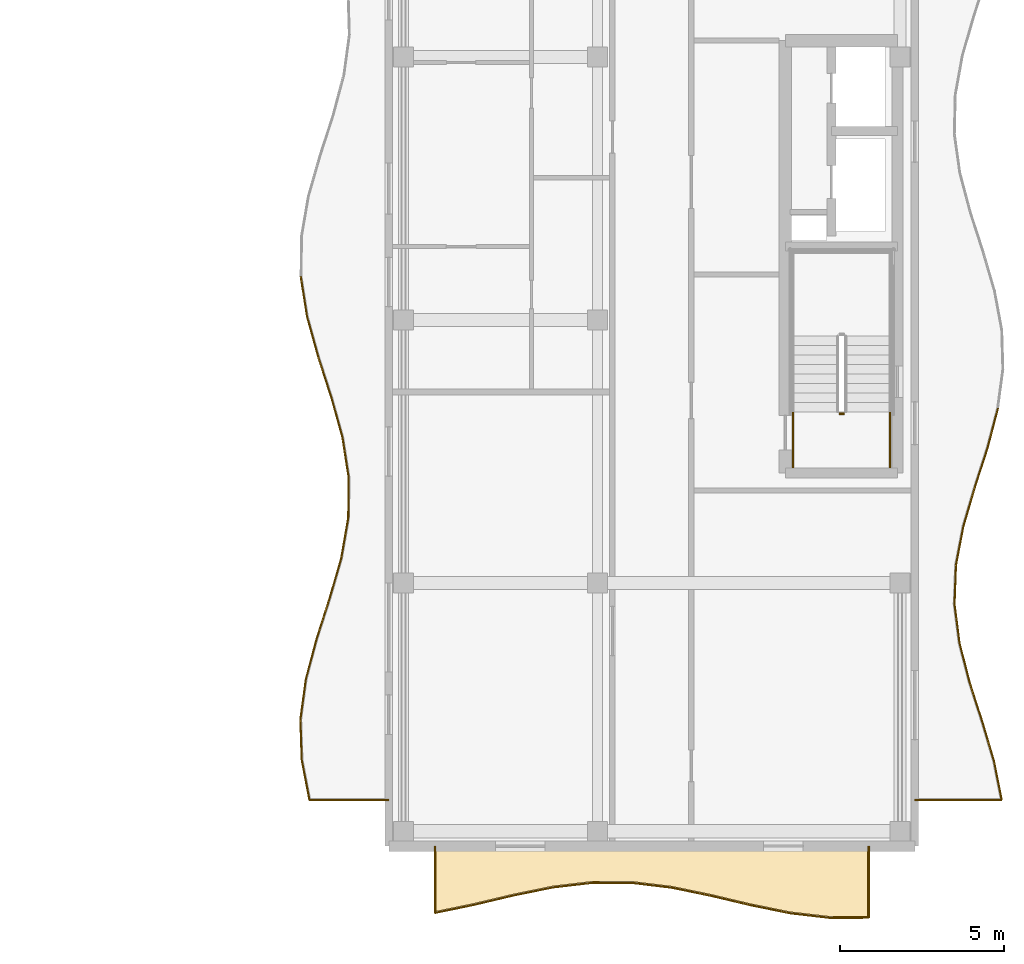
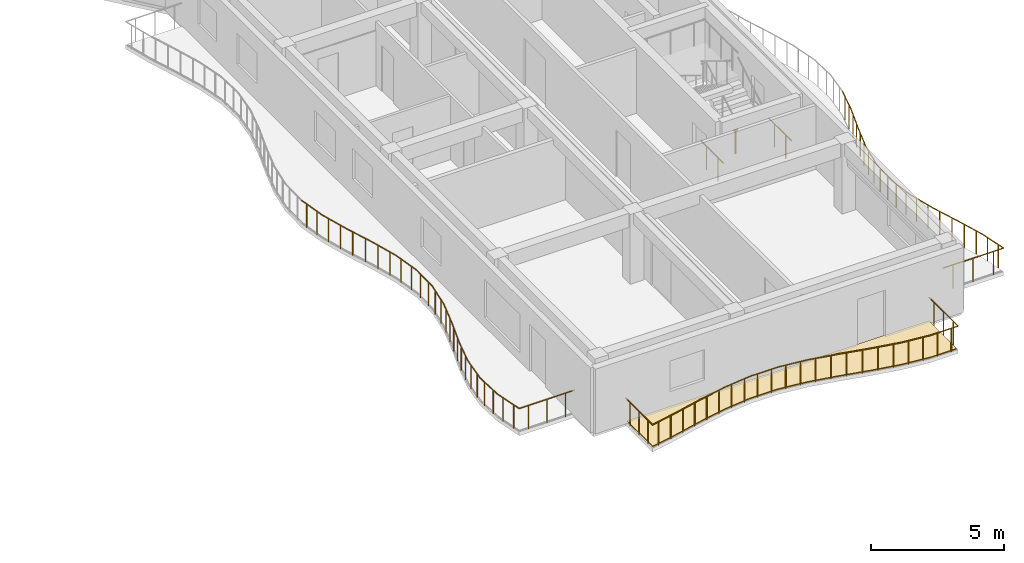
# One storey, part 65 of 71: 41 railings, 1 covering.
"""IFC4 building model written with IfcOpenShell, lengths in metres."""

from ifc_helpers import new_model, si_unit, direction, frame, origin, origin_2d, place, context, subcontext, project, spatial, polyline, circle, outline, extrude, material, layer, layer_set, type_object, element, save


model = new_model("IFC4")

# Units and contexts
model_context = context("Model", 3, precision=1e-05, world=origin(), true_north=direction((0.0, 1.0)))
body_context = subcontext(model_context, "Body", "Model", "MODEL_VIEW")
ifc_project = project(units=[si_unit("LENGTHUNIT", "METRE"), si_unit("AREAUNIT", "SQUARE_METRE"), si_unit("VOLUMEUNIT", "CUBIC_METRE"), si_unit("PLANEANGLEUNIT", "RADIAN"), si_unit("MASSUNIT", "GRAM", prefix="KILO")], contexts=[model_context])

# Site, building, storey
site_placement = place(None, origin())
site = spatial("IfcSite", under=ifc_project, at=site_placement, CompositionType="ELEMENT")
building_placement = place(site_placement, origin())
building = spatial("IfcBuilding", under=site, at=building_placement, Name="Keldmere Railside Commons", CompositionType="ELEMENT")
storey_placement = place(building_placement, frame((0.0, 0.0, 20.159912109375)))
storey = spatial("IfcBuildingStorey", under=building, at=storey_placement, Name="L06", CompositionType="ELEMENT", Elevation=20.159912109375)

# Railings
ifc_material_1 = material(Name="Steel F-24 (S235)", Category="steel")
railing_type_1 = type_object("IfcRailingType", Name="Balcony & Terrace Steel Balustrade 1100", PredefinedType="BALUSTRADE", material=ifc_material_1)
railing_1_placement = place(storey_placement, frame((168.0, 57.39990234375, 0.0)))
element("IfcRailing", 1, at=railing_1_placement, inside=storey, type_object=railing_type_1, Name="GR-1 GRD-L06-3852", PredefinedType="BALUSTRADE", context=body_context, shape_type="SweptSolid", body=[
    extrude(circle(Radius=0.02392578125, at=origin_2d()), frame((0.0, 0.0, 1.076171875), z_axis=(-1.0, 0.0, 0.0), x_axis=(0.0, -1.0, 0.0)), (0.0, 0.0, 1.0), 2.413818359375),
    extrude(circle(Radius=0.02099609375, at=origin_2d()), frame((-0.40234375, 0.0, 0.0)), (0.0, 0.0, 1.0), 1.048095703125),
    extrude(circle(Radius=0.02099609375, at=origin_2d()), frame((-1.20703125, 0.0, 0.0)), (0.0, 0.0, 1.0), 1.048095703125),
    extrude(circle(Radius=0.02099609375, at=origin_2d()), frame((-2.011474609375, 0.0, 0.0)), (0.0, 0.0, 1.0), 1.048095703125),
])
railing_2_placement = place(storey_placement, frame((165.586181640625, 57.39990234375, 0.0)))
element("IfcRailing", 2, at=railing_2_placement, inside=storey, type_object=railing_type_1, Name="GR-1 GRD-L06-3853", PredefinedType="BALUSTRADE", context=body_context, shape_type="SweptSolid", body=[
    extrude(circle(Radius=0.02392578125, at=origin_2d()), frame((0.0, 0.0, 1.076171875), z_axis=(-0.18884739365, 0.982006446981, 0.0), x_axis=(-0.982006446981, -0.18884739365, 0.0)), (0.0, 0.0, 1.0), 1.24755859375),
    extrude(circle(Radius=0.02099609375, at=origin_2d()), frame((-0.058837890625, 0.30615234375, 0.0)), (0.0, 0.0, 1.0), 1.048095703125),
    extrude(circle(Radius=0.02099609375, at=origin_2d()), frame((-0.1767578125, 0.9189453125, 0.0)), (0.0, 0.0, 1.0), 1.048095703125),
])
railing_3_placement = place(storey_placement, frame((165.3505859375, 58.625, 0.0)))
element("IfcRailing", 3, at=railing_3_placement, inside=storey, type_object=railing_type_1, Name="GR-1 GRD-L06-3854", PredefinedType="BALUSTRADE", context=body_context, shape_type="SweptSolid", body=[
    extrude(circle(Radius=0.02392578125, at=origin_2d()), frame((0.0, 0.0, 1.076171875), z_axis=(-0.032863864718, 0.99945983731, 0.0), x_axis=(-0.99945983731, -0.032863864718, 0.0)), (0.0, 0.0, 1.0), 1.225830078125),
    extrude(circle(Radius=0.02099609375, at=origin_2d()), frame((-0.010009765625, 0.30615234375, 0.0)), (0.0, 0.0, 1.0), 1.048095703125),
    extrude(circle(Radius=0.02099609375, at=origin_2d()), frame((-0.0302734375, 0.9189453125, 0.0)), (0.0, 0.0, 1.0), 1.048095703125),
])
railing_4_placement = place(storey_placement, frame((165.310302734375, 59.85009765625, 0.0)))
element("IfcRailing", 4, at=railing_4_placement, inside=storey, type_object=railing_type_1, Name="GR-1 GRD-L06-3855", PredefinedType="BALUSTRADE", context=body_context, shape_type="SweptSolid", body=[
    extrude(circle(Radius=0.02392578125, at=origin_2d()), frame((0.0, 0.0, 1.076171875), z_axis=(0.134117115149, 0.990965488513, 0.0), x_axis=(-0.990965488513, 0.134117115149, 0.0)), (0.0, 0.0, 1.0), 1.236083984375),
    extrude(circle(Radius=0.02099609375, at=origin_2d()), frame((0.04150390625, 0.30615234375, 0.0)), (0.0, 0.0, 1.0), 1.048095703125),
    extrude(circle(Radius=0.02099609375, at=origin_2d()), frame((0.124267578125, 0.918701171875, 0.0)), (0.0, 0.0, 1.0), 1.048095703125),
])
railing_5_placement = place(storey_placement, frame((165.47607421875, 61.074951171875, 0.0)))
element("IfcRailing", 5, at=railing_5_placement, inside=storey, type_object=railing_type_1, Name="GR-1 GRD-L06-3856", PredefinedType="BALUSTRADE", context=body_context, shape_type="SweptSolid", body=[
    extrude(circle(Radius=0.02392578125, at=origin_2d()), frame((0.0, 0.0, 1.076171875), z_axis=(0.257279080063, 0.966337143528, 0.0), x_axis=(-0.966337143528, 0.257279080063, 0.0)), (0.0, 0.0, 1.0), 1.267822265625),
    extrude(circle(Radius=0.02099609375, at=origin_2d()), frame((0.08154296875, 0.30615234375, 0.0)), (0.0, 0.0, 1.0), 1.048095703125),
    extrude(circle(Radius=0.02099609375, at=origin_2d()), frame((0.24462890625, 0.9189453125, 0.0)), (0.0, 0.0, 1.0), 1.048095703125),
])
railing_6_placement = place(storey_placement, frame((165.80224609375, 62.300048828125, 0.0)))
element("IfcRailing", 6, at=railing_6_placement, inside=storey, type_object=railing_type_1, Name="GR-1 GRD-L06-3857", PredefinedType="BALUSTRADE", context=body_context, shape_type="SweptSolid", body=[
    extrude(circle(Radius=0.02392578125, at=origin_2d()), frame((0.0, 0.0, 1.076171875), z_axis=(0.307108081908, 0.951674642946, 0.0), x_axis=(-0.951674642946, 0.307108081908, 0.0)), (0.0, 0.0, 1.0), 1.287109375),
    extrude(circle(Radius=0.02099609375, at=origin_2d()), frame((0.098876953125, 0.30615234375, 0.0)), (0.0, 0.0, 1.0), 1.048095703125),
    extrude(circle(Radius=0.02099609375, at=origin_2d()), frame((0.29638671875, 0.918701171875, 0.0)), (0.0, 0.0, 1.0), 1.048095703125),
])
railing_7_placement = place(storey_placement, frame((166.197509765625, 63.52490234375, 0.0)))
element("IfcRailing", 7, at=railing_7_placement, inside=storey, type_object=railing_type_1, Name="GR-1 GRD-L06-3858", PredefinedType="BALUSTRADE", context=body_context, shape_type="SweptSolid", body=[
    extrude(circle(Radius=0.02392578125, at=origin_2d()), frame((0.0, 0.0, 1.076171875), z_axis=(0.277602479935, 0.96069603056, 0.0), x_axis=(-0.96069603056, 0.277602479935, 0.0)), (0.0, 0.0, 1.0), 1.275146484375),
    extrude(circle(Radius=0.02099609375, at=origin_2d()), frame((0.08837890625, 0.30615234375, 0.0)), (0.0, 0.0, 1.0), 1.048095703125),
    extrude(circle(Radius=0.02099609375, at=origin_2d()), frame((0.265625, 0.9189453125, 0.0)), (0.0, 0.0, 1.0), 1.048095703125),
])
railing_8_placement = place(storey_placement, frame((166.551513671875, 64.75, 0.0)))
element("IfcRailing", 8, at=railing_8_placement, inside=storey, type_object=railing_type_1, Name="GR-1 GRD-L06-3859", PredefinedType="BALUSTRADE", context=body_context, shape_type="SweptSolid", body=[
    extrude(circle(Radius=0.02392578125, at=origin_2d()), frame((0.0, 0.0, 1.076171875), z_axis=(0.172161282632, 0.985068775651, 0.0), x_axis=(-0.985068775651, 0.172161282632, 0.0)), (0.0, 0.0, 1.0), 1.24365234375),
    extrude(circle(Radius=0.02099609375, at=origin_2d()), frame((0.053466796875, 0.30615234375, 0.0)), (0.0, 0.0, 1.0), 1.048095703125),
    extrude(circle(Radius=0.02099609375, at=origin_2d()), frame((0.16064453125, 0.9189453125, 0.0)), (0.0, 0.0, 1.0), 1.048095703125),
])
railing_9_placement = place(storey_placement, frame((166.765625, 65.97509765625, 0.0)))
element("IfcRailing", 9, at=railing_9_placement, inside=storey, type_object=railing_type_1, Name="GR-1 GRD-L06-3860", PredefinedType="BALUSTRADE", context=body_context, shape_type="SweptSolid", body=[
    extrude(circle(Radius=0.02392578125, at=origin_2d()), frame((0.0, 0.0, 1.076171875), z_axis=(0.011958483095, 0.999928494785, 0.0), x_axis=(-0.999928494785, 0.011958483095, 0.0)), (0.0, 0.0, 1.0), 1.224853515625),
    extrude(circle(Radius=0.02099609375, at=origin_2d()), frame((0.003662109375, 0.30615234375, 0.0)), (0.0, 0.0, 1.0), 1.048095703125),
    extrude(circle(Radius=0.02099609375, at=origin_2d()), frame((0.010986328125, 0.918701171875, 0.0)), (0.0, 0.0, 1.0), 1.048095703125),
])
railing_10_placement = place(storey_placement, frame((166.7802734375, 67.199951171875, 0.0)))
element("IfcRailing", 10, at=railing_10_placement, inside=storey, type_object=railing_type_1, Name="GR-1 GRD-L06-3861", PredefinedType="BALUSTRADE", context=body_context, shape_type="SweptSolid", body=[
    extrude(circle(Radius=0.02392578125, at=origin_2d()), frame((0.0, 0.0, 1.076171875), z_axis=(-0.152634339831, 0.988282731967, 0.0), x_axis=(-0.988282731967, -0.152634339831, 0.0)), (0.0, 0.0, 1.0), 1.239501953125),
    extrude(circle(Radius=0.02099609375, at=origin_2d()), frame((-0.04736328125, 0.30615234375, 0.0)), (0.0, 0.0, 1.0), 1.048095703125),
    extrude(circle(Radius=0.02099609375, at=origin_2d()), frame((-0.141845703125, 0.9189453125, 0.0)), (0.0, 0.0, 1.0), 1.048095703125),
])
railing_11_placement = place(storey_placement, frame((166.591064453125, 68.425048828125, 0.0)))
element("IfcRailing", 11, at=railing_11_placement, inside=storey, type_object=railing_type_1, Name="GR-1 GRD-L06-3862", PredefinedType="BALUSTRADE", context=body_context, shape_type="SweptSolid", body=[
    extrude(circle(Radius=0.02392578125, at=origin_2d()), frame((0.0, 0.0, 1.076171875), z_axis=(-0.267534901573, 0.963548170275, 0.0), x_axis=(-0.963548170275, -0.267534901573, 0.0)), (0.0, 0.0, 1.0), 1.271240234375),
    extrude(circle(Radius=0.02099609375, at=origin_2d()), frame((-0.0849609375, 0.30615234375, 0.0)), (0.0, 0.0, 1.0), 1.048095703125),
    extrude(circle(Radius=0.02099609375, at=origin_2d()), frame((-0.255126953125, 0.918701171875, 0.0)), (0.0, 0.0, 1.0), 1.048095703125),
])
railing_12_placement = place(storey_placement, frame((166.2509765625, 69.64990234375, 0.0)))
element("IfcRailing", 12, at=railing_12_placement, inside=storey, type_object=railing_type_1, Name="GR-1 GRD-L06-3863", PredefinedType="BALUSTRADE", context=body_context, shape_type="SweptSolid", body=[
    extrude(circle(Radius=0.02392578125, at=origin_2d()), frame((0.0, 0.0, 1.076171875), z_axis=(-0.307567840436, 0.951526154937, 0.0), x_axis=(-0.951526154937, -0.307567840436, 0.0)), (0.0, 0.0, 1.0), 1.28759765625),
    extrude(circle(Radius=0.02099609375, at=origin_2d()), frame((-0.09912109375, 0.30615234375, 0.0)), (0.0, 0.0, 1.0), 1.048095703125),
    extrude(circle(Radius=0.02099609375, at=origin_2d()), frame((-0.296875, 0.9189453125, 0.0)), (0.0, 0.0, 1.0), 1.048095703125),
])
railing_13_placement = place(storey_placement, frame((165.85498046875, 70.875, 0.0)))
element("IfcRailing", 13, at=railing_13_placement, inside=storey, type_object=railing_type_1, Name="GR-1 GRD-L06-3864", PredefinedType="BALUSTRADE", context=body_context, shape_type="SweptSolid", body=[
    extrude(circle(Radius=0.02392578125, at=origin_2d()), frame((0.0, 0.0, 1.076171875), z_axis=(-0.268732703792, 0.963214791162, 0.0), x_axis=(-0.963214791162, -0.268732703792, 0.0)), (0.0, 0.0, 1.0), 1.27197265625),
    extrude(circle(Radius=0.02099609375, at=origin_2d()), frame((-0.08544921875, 0.30615234375, 0.0)), (0.0, 0.0, 1.0), 1.048095703125),
    extrude(circle(Radius=0.02099609375, at=origin_2d()), frame((-0.25634765625, 0.9189453125, 0.0)), (0.0, 0.0, 1.0), 1.048095703125),
])
railing_14_placement = place(storey_placement, frame((165.51318359375, 72.10009765625, 0.0)))
element("IfcRailing", 14, at=railing_14_placement, inside=storey, type_object=railing_type_1, Name="GR-1 GRD-L06-3865", PredefinedType="BALUSTRADE", context=body_context, shape_type="SweptSolid", body=[
    extrude(circle(Radius=0.02392578125, at=origin_2d()), frame((0.0, 0.0, 1.076171875), z_axis=(-0.154779343241, 0.987949064935, 0.0), x_axis=(-0.987949064935, -0.154779343241, 0.0)), (0.0, 0.0, 1.0), 1.23974609375),
    extrude(circle(Radius=0.02099609375, at=origin_2d()), frame((-0.0478515625, 0.30615234375, 0.0)), (0.0, 0.0, 1.0), 1.048095703125),
    extrude(circle(Radius=0.02099609375, at=origin_2d()), frame((-0.14404296875, 0.918701171875, 0.0)), (0.0, 0.0, 1.0), 1.048095703125),
])
railing_15_placement = place(storey_placement, frame((184.0, 57.39990234375, 0.0)))
element("IfcRailing", 15, at=railing_15_placement, inside=storey, type_object=railing_type_1, Name="GR-1 GRD-L06-3878", PredefinedType="BALUSTRADE", context=body_context, shape_type="SweptSolid", body=[
    extrude(circle(Radius=0.02392578125, at=origin_2d()), frame((0.0, 0.0, 1.076171875), z_axis=(1.0, 0.0, 0.0), x_axis=(0.0, 1.0, 0.0)), (0.0, 0.0, 1.0), 2.64208984375),
    extrude(circle(Radius=0.02099609375, at=origin_2d()), frame((0.4404296875, 0.0, 0.0)), (0.0, 0.0, 1.0), 1.048095703125),
    extrude(circle(Radius=0.02099609375, at=origin_2d()), frame((1.321044921875, 0.0, 0.0)), (0.0, 0.0, 1.0), 1.048095703125),
    extrude(circle(Radius=0.02099609375, at=origin_2d()), frame((2.20166015625, 0.0, 0.0)), (0.0, 0.0, 1.0), 1.048095703125),
])
railing_16_placement = place(storey_placement, frame((186.64208984375, 57.39990234375, 0.0)))
element("IfcRailing", 16, at=railing_16_placement, inside=storey, type_object=railing_type_1, Name="GR-1 GRD-L06-3879", PredefinedType="BALUSTRADE", context=body_context, shape_type="SweptSolid", body=[
    extrude(circle(Radius=0.02392578125, at=origin_2d()), frame((0.0, 0.0, 1.076171875), z_axis=(-0.193719560869, 0.981056946225, 0.0), x_axis=(-0.981056946225, -0.193719560869, 0.0)), (0.0, 0.0, 1.0), 1.21484375),
    extrude(circle(Radius=0.02099609375, at=origin_2d()), frame((-0.058837890625, 0.2978515625, 0.0)), (0.0, 0.0, 1.0), 1.048095703125),
    extrude(circle(Radius=0.02099609375, at=origin_2d()), frame((-0.176513671875, 0.89404296875, 0.0)), (0.0, 0.0, 1.0), 1.048095703125),
])
railing_17_placement = place(storey_placement, frame((186.40673828125, 58.591796875, 0.0)))
element("IfcRailing", 17, at=railing_17_placement, inside=storey, type_object=railing_type_1, Name="GR-1 GRD-L06-3880", PredefinedType="BALUSTRADE", context=body_context, shape_type="SweptSolid", body=[
    extrude(circle(Radius=0.02392578125, at=origin_2d()), frame((0.0, 0.0, 1.076171875), z_axis=(-0.286266919915, 0.958149910276, 0.0), x_axis=(-0.958149910276, -0.286266919915, 0.0)), (0.0, 0.0, 1.0), 1.243408203125),
    extrude(circle(Radius=0.02099609375, at=origin_2d()), frame((-0.0888671875, 0.2978515625, 0.0)), (0.0, 0.0, 1.0), 1.048095703125),
    extrude(circle(Radius=0.02099609375, at=origin_2d()), frame((-0.26708984375, 0.8935546875, 0.0)), (0.0, 0.0, 1.0), 1.048095703125),
])
railing_18_placement = place(storey_placement, frame((186.05078125, 59.783203125, 0.0)))
element("IfcRailing", 18, at=railing_18_placement, inside=storey, type_object=railing_type_1, Name="GR-1 GRD-L06-3881", PredefinedType="BALUSTRADE", context=body_context, shape_type="SweptSolid", body=[
    extrude(circle(Radius=0.02392578125, at=origin_2d()), frame((0.0, 0.0, 1.076171875), z_axis=(-0.305617734409, 0.952154294437, 0.0), x_axis=(-0.952154294437, -0.305617734409, 0.0)), (0.0, 0.0, 1.0), 1.251708984375),
    extrude(circle(Radius=0.02099609375, at=origin_2d()), frame((-0.095703125, 0.2978515625, 0.0)), (0.0, 0.0, 1.0), 1.048095703125),
    extrude(circle(Radius=0.02099609375, at=origin_2d()), frame((-0.286865234375, 0.89404296875, 0.0)), (0.0, 0.0, 1.0), 1.048095703125),
])
railing_19_placement = place(storey_placement, frame((185.668212890625, 60.97509765625, 0.0)))
element("IfcRailing", 19, at=railing_19_placement, inside=storey, type_object=railing_type_1, Name="GR-1 GRD-L06-3882", PredefinedType="BALUSTRADE", context=body_context, shape_type="SweptSolid", body=[
    extrude(circle(Radius=0.02392578125, at=origin_2d()), frame((0.0, 0.0, 1.076171875), z_axis=(-0.250321917215, 0.968162660797, 0.0), x_axis=(-0.968162660797, -0.250321917215, 0.0)), (0.0, 0.0, 1.0), 1.23095703125),
    extrude(circle(Radius=0.02099609375, at=origin_2d()), frame((-0.0771484375, 0.2978515625, 0.0)), (0.0, 0.0, 1.0), 1.048095703125),
    extrude(circle(Radius=0.02099609375, at=origin_2d()), frame((-0.23095703125, 0.893798828125, 0.0)), (0.0, 0.0, 1.0), 1.048095703125),
])
railing_20_placement = place(storey_placement, frame((185.360107421875, 62.166748046875, 0.0)))
element("IfcRailing", 20, at=railing_20_placement, inside=storey, type_object=railing_type_1, Name="GR-1 GRD-L06-3883", PredefinedType="BALUSTRADE", context=body_context, shape_type="SweptSolid", body=[
    extrude(circle(Radius=0.02392578125, at=origin_2d()), frame((0.0, 0.0, 1.076171875), z_axis=(-0.126610613492, 0.991952495108, 0.0), x_axis=(-0.991952495108, -0.126610613492, 0.0)), (0.0, 0.0, 1.0), 1.201416015625),
    extrude(circle(Radius=0.02099609375, at=origin_2d()), frame((-0.0380859375, 0.2978515625, 0.0)), (0.0, 0.0, 1.0), 1.048095703125),
    extrude(circle(Radius=0.02099609375, at=origin_2d()), frame((-0.114013671875, 0.893798828125, 0.0)), (0.0, 0.0, 1.0), 1.048095703125),
])
railing_21_placement = place(storey_placement, frame((185.2080078125, 63.3583984375, 0.0)))
element("IfcRailing", 21, at=railing_21_placement, inside=storey, type_object=railing_type_1, Name="GR-1 GRD-L06-3884", PredefinedType="BALUSTRADE", context=body_context, shape_type="SweptSolid", body=[
    extrude(circle(Radius=0.02392578125, at=origin_2d()), frame((0.0, 0.0, 1.076171875), z_axis=(0.036852638382, 0.999320710805, 0.0), x_axis=(-0.999320710805, 0.036852638382, 0.0)), (0.0, 0.0, 1.0), 1.1923828125),
    extrude(circle(Radius=0.02099609375, at=origin_2d()), frame((0.010986328125, 0.2978515625, 0.0)), (0.0, 0.0, 1.0), 1.048095703125),
    extrude(circle(Radius=0.02099609375, at=origin_2d()), frame((0.032958984375, 0.893798828125, 0.0)), (0.0, 0.0, 1.0), 1.048095703125),
])
railing_22_placement = place(storey_placement, frame((185.251953125, 64.550048828125, 0.0)))
element("IfcRailing", 22, at=railing_22_placement, inside=storey, type_object=railing_type_1, Name="GR-1 GRD-L06-3885", PredefinedType="BALUSTRADE", context=body_context, shape_type="SweptSolid", body=[
    extrude(circle(Radius=0.02392578125, at=origin_2d()), frame((0.0, 0.0, 1.076171875), z_axis=(0.188332431177, 0.982105338223, 0.0), x_axis=(-0.982105338223, 0.188332431177, 0.0)), (0.0, 0.0, 1.0), 1.21337890625),
    extrude(circle(Radius=0.02099609375, at=origin_2d()), frame((0.05712890625, 0.2978515625, 0.0)), (0.0, 0.0, 1.0), 1.048095703125),
    extrude(circle(Radius=0.02099609375, at=origin_2d()), frame((0.17138671875, 0.893798828125, 0.0)), (0.0, 0.0, 1.0), 1.048095703125),
])
railing_23_placement = place(storey_placement, frame((185.48046875, 65.74169921875, 0.0)))
element("IfcRailing", 23, at=railing_23_placement, inside=storey, type_object=railing_type_1, Name="GR-1 GRD-L06-3886", PredefinedType="BALUSTRADE", context=body_context, shape_type="SweptSolid", body=[
    extrude(circle(Radius=0.02392578125, at=origin_2d()), frame((0.0, 0.0, 1.076171875), z_axis=(0.283686963356, 0.958916944694, 0.0), x_axis=(-0.958916944694, 0.283686963356, 0.0)), (0.0, 0.0, 1.0), 1.24267578125),
    extrude(circle(Radius=0.02099609375, at=origin_2d()), frame((0.088134765625, 0.2978515625, 0.0)), (0.0, 0.0, 1.0), 1.048095703125),
    extrude(circle(Radius=0.02099609375, at=origin_2d()), frame((0.264404296875, 0.893798828125, 0.0)), (0.0, 0.0, 1.0), 1.048095703125),
])
railing_24_placement = place(storey_placement, frame((185.8330078125, 66.933349609375, 0.0)))
element("IfcRailing", 24, at=railing_24_placement, inside=storey, type_object=railing_type_1, Name="GR-1 GRD-L06-3887", PredefinedType="BALUSTRADE", context=body_context, shape_type="SweptSolid", body=[
    extrude(circle(Radius=0.02392578125, at=origin_2d()), frame((0.0, 0.0, 1.076171875), z_axis=(0.306381617694, 0.951908768916, 0.0), x_axis=(-0.951908768916, 0.306381617694, 0.0)), (0.0, 0.0, 1.0), 1.251953125),
    extrude(circle(Radius=0.02099609375, at=origin_2d()), frame((0.095947265625, 0.2978515625, 0.0)), (0.0, 0.0, 1.0), 1.048095703125),
    extrude(circle(Radius=0.02099609375, at=origin_2d()), frame((0.28759765625, 0.893798828125, 0.0)), (0.0, 0.0, 1.0), 1.048095703125),
])
railing_25_placement = place(storey_placement, frame((186.216552734375, 68.125, 0.0)))
element("IfcRailing", 25, at=railing_25_placement, inside=storey, type_object=railing_type_1, Name="GR-1 GRD-L06-3888", PredefinedType="BALUSTRADE", context=body_context, shape_type="SweptSolid", body=[
    extrude(circle(Radius=0.02392578125, at=origin_2d()), frame((0.0, 0.0, 1.076171875), z_axis=(0.254034844498, 0.967195067078, 0.0), x_axis=(-0.967195067078, 0.254034844498, 0.0)), (0.0, 0.0, 1.0), 1.232177734375),
    extrude(circle(Radius=0.02099609375, at=origin_2d()), frame((0.078125, 0.2978515625, 0.0)), (0.0, 0.0, 1.0), 1.048095703125),
    extrude(circle(Radius=0.02099609375, at=origin_2d()), frame((0.23486328125, 0.893798828125, 0.0)), (0.0, 0.0, 1.0), 1.048095703125),
])
railing_26_placement = place(storey_placement, frame((169.39990234375, 56.0, 0.0)))
element("IfcRailing", 26, at=railing_26_placement, inside=storey, type_object=railing_type_1, Name="GR-1 GRD-L06-3941", PredefinedType="BALUSTRADE", context=body_context, shape_type="SweptSolid", body=[
    extrude(circle(Radius=0.02392578125, at=origin_2d()), frame((0.0, 0.0, 1.076171875), z_axis=(0.0, -1.0, 0.0), x_axis=(1.0, 0.0, 0.0)), (0.0, 0.0, 1.0), 2.034912109375),
    extrude(circle(Radius=0.02099609375, at=origin_2d()), frame((0.0, -0.339111328125, 0.0)), (0.0, 0.0, 1.0), 1.048095703125),
    extrude(circle(Radius=0.02099609375, at=origin_2d()), frame((0.0, -1.017578125, 0.0)), (0.0, 0.0, 1.0), 1.048095703125),
    extrude(circle(Radius=0.02099609375, at=origin_2d()), frame((0.0, -1.69580078125, 0.0)), (0.0, 0.0, 1.0), 1.048095703125),
])
railing_27_placement = place(storey_placement, frame((169.39990234375, 53.965087890625, 0.0)))
element("IfcRailing", 27, at=railing_27_placement, inside=storey, type_object=railing_type_1, Name="GR-1 GRD-L06-3942", PredefinedType="BALUSTRADE", context=body_context, shape_type="SweptSolid", body=[
    extrude(circle(Radius=0.02392578125, at=origin_2d()), frame((0.0, 0.0, 1.076171875), z_axis=(0.97926450778, 0.202585843046, 0.0), x_axis=(-0.202585843046, 0.97926450778, 0.0)), (0.0, 0.0, 1.0), 1.2255859375),
    extrude(circle(Radius=0.02099609375, at=origin_2d()), frame((0.300048828125, 0.06201171875, 0.0)), (0.0, 0.0, 1.0), 1.048095703125),
    extrude(circle(Radius=0.02099609375, at=origin_2d()), frame((0.900146484375, 0.186279296875, 0.0)), (0.0, 0.0, 1.0), 1.048095703125),
])
railing_28_placement = place(storey_placement, frame((170.60009765625, 54.21337890625, 0.0)))
element("IfcRailing", 28, at=railing_28_placement, inside=storey, type_object=railing_type_1, Name="GR-1 GRD-L06-3943", PredefinedType="BALUSTRADE", context=body_context, shape_type="SweptSolid", body=[
    extrude(circle(Radius=0.02392578125, at=origin_2d()), frame((0.0, 0.0, 1.076171875), z_axis=(0.97299493391, 0.230826468553, 0.0), x_axis=(-0.230826468553, 0.97299493391, 0.0)), (0.0, 0.0, 1.0), 1.233154296875),
    extrude(circle(Radius=0.02099609375, at=origin_2d()), frame((0.300048828125, 0.0712890625, 0.0)), (0.0, 0.0, 1.0), 1.048095703125),
    extrude(circle(Radius=0.02099609375, at=origin_2d()), frame((0.89990234375, 0.21337890625, 0.0)), (0.0, 0.0, 1.0), 1.048095703125),
])
railing_29_placement = place(storey_placement, frame((171.800048828125, 54.498046875, 0.0)))
element("IfcRailing", 29, at=railing_29_placement, inside=storey, type_object=railing_type_1, Name="GR-1 GRD-L06-3944", PredefinedType="BALUSTRADE", context=body_context, shape_type="SweptSolid", body=[
    extrude(circle(Radius=0.02392578125, at=origin_2d()), frame((0.0, 0.0, 1.076171875), z_axis=(0.979806449957, 0.199948294874, 0.0), x_axis=(-0.199948294874, 0.979806449957, 0.0)), (0.0, 0.0, 1.0), 1.224609375),
    extrude(circle(Radius=0.02099609375, at=origin_2d()), frame((0.300048828125, 0.061279296875, 0.0)), (0.0, 0.0, 1.0), 1.048095703125),
    extrude(circle(Radius=0.02099609375, at=origin_2d()), frame((0.89990234375, 0.18359375, 0.0)), (0.0, 0.0, 1.0), 1.048095703125),
])
railing_30_placement = place(storey_placement, frame((173.0, 54.742919921875, 0.0)))
element("IfcRailing", 30, at=railing_30_placement, inside=storey, type_object=railing_type_1, Name="GR-1 GRD-L06-3945", PredefinedType="BALUSTRADE", context=body_context, shape_type="SweptSolid", body=[
    extrude(circle(Radius=0.02392578125, at=origin_2d()), frame((0.0, 0.0, 1.076171875), z_axis=(0.99327282752, 0.11579762567, 0.0), x_axis=(-0.11579762567, 0.99327282752, 0.0)), (0.0, 0.0, 1.0), 1.2080078125),
    extrude(circle(Radius=0.02099609375, at=origin_2d()), frame((0.300048828125, 0.034912109375, 0.0)), (0.0, 0.0, 1.0), 1.048095703125),
    extrude(circle(Radius=0.02099609375, at=origin_2d()), frame((0.89990234375, 0.10498046875, 0.0)), (0.0, 0.0, 1.0), 1.048095703125),
])
railing_31_placement = place(storey_placement, frame((174.199951171875, 54.8828125, 0.0)))
element("IfcRailing", 31, at=railing_31_placement, inside=storey, type_object=railing_type_1, Name="GR-1 GRD-L06-3946", PredefinedType="BALUSTRADE", context=body_context, shape_type="SweptSolid", body=[
    extrude(circle(Radius=0.02392578125, at=origin_2d()), frame((0.0, 0.0, 1.076171875), z_axis=(0.9999965021, -0.002644955143, 0.0), x_axis=(0.002644955143, 0.9999965021, 0.0)), (0.0, 0.0, 1.0), 1.199951171875),
    extrude(circle(Radius=0.02099609375, at=origin_2d()), frame((0.300048828125, -0.000732421875, 0.0)), (0.0, 0.0, 1.0), 1.048095703125),
    extrude(circle(Radius=0.02099609375, at=origin_2d()), frame((0.89990234375, -0.00244140625, 0.0)), (0.0, 0.0, 1.0), 1.048095703125),
])
railing_32_placement = place(storey_placement, frame((175.39990234375, 54.879638671875, 0.0)))
element("IfcRailing", 32, at=railing_32_placement, inside=storey, type_object=railing_type_1, Name="GR-1 GRD-L06-3947", PredefinedType="BALUSTRADE", context=body_context, shape_type="SweptSolid", body=[
    extrude(circle(Radius=0.02392578125, at=origin_2d()), frame((0.0, 0.0, 1.076171875), z_axis=(0.992803066738, -0.119758384576, 0.0), x_axis=(0.119758384576, 0.992803066738, 0.0)), (0.0, 0.0, 1.0), 1.208984375),
    extrude(circle(Radius=0.02099609375, at=origin_2d()), frame((0.300048828125, -0.0361328125, 0.0)), (0.0, 0.0, 1.0), 1.048095703125),
    extrude(circle(Radius=0.02099609375, at=origin_2d()), frame((0.900146484375, -0.108642578125, 0.0)), (0.0, 0.0, 1.0), 1.048095703125),
])
railing_33_placement = place(storey_placement, frame((176.60009765625, 54.73486328125, 0.0)))
element("IfcRailing", 33, at=railing_33_placement, inside=storey, type_object=railing_type_1, Name="GR-1 GRD-L06-3948", PredefinedType="BALUSTRADE", context=body_context, shape_type="SweptSolid", body=[
    extrude(circle(Radius=0.02392578125, at=origin_2d()), frame((0.0, 0.0, 1.076171875), z_axis=(0.979295846294, -0.202434299051, 0.0), x_axis=(0.202434299051, 0.979295846294, 0.0)), (0.0, 0.0, 1.0), 1.225341796875),
    extrude(circle(Radius=0.02099609375, at=origin_2d()), frame((0.300048828125, -0.06201171875, 0.0)), (0.0, 0.0, 1.0), 1.048095703125),
    extrude(circle(Radius=0.02099609375, at=origin_2d()), frame((0.89990234375, -0.18603515625, 0.0)), (0.0, 0.0, 1.0), 1.048095703125),
])
railing_34_placement = place(storey_placement, frame((177.800048828125, 54.48681640625, 0.0)))
element("IfcRailing", 34, at=railing_34_placement, inside=storey, type_object=railing_type_1, Name="GR-1 GRD-L06-3949", PredefinedType="BALUSTRADE", context=body_context, shape_type="SweptSolid", body=[
    extrude(circle(Radius=0.02392578125, at=origin_2d()), frame((0.0, 0.0, 1.076171875), z_axis=(0.972950456483, -0.231013872374, 0.0), x_axis=(0.231013872374, 0.972950456483, 0.0)), (0.0, 0.0, 1.0), 1.2333984375),
    extrude(circle(Radius=0.02099609375, at=origin_2d()), frame((0.300048828125, -0.0712890625, 0.0)), (0.0, 0.0, 1.0), 1.048095703125),
    extrude(circle(Radius=0.02099609375, at=origin_2d()), frame((0.89990234375, -0.213623046875, 0.0)), (0.0, 0.0, 1.0), 1.048095703125),
])
railing_35_placement = place(storey_placement, frame((179.0, 54.201904296875, 0.0)))
element("IfcRailing", 35, at=railing_35_placement, inside=storey, type_object=railing_type_1, Name="GR-1 GRD-L06-3950", PredefinedType="BALUSTRADE", context=body_context, shape_type="SweptSolid", body=[
    extrude(circle(Radius=0.02392578125, at=origin_2d()), frame((0.0, 0.0, 1.076171875), z_axis=(0.979806449957, -0.199948294874, 0.0), x_axis=(0.199948294874, 0.979806449957, 0.0)), (0.0, 0.0, 1.0), 1.224609375),
    extrude(circle(Radius=0.02099609375, at=origin_2d()), frame((0.300048828125, -0.061279296875, 0.0)), (0.0, 0.0, 1.0), 1.048095703125),
    extrude(circle(Radius=0.02099609375, at=origin_2d()), frame((0.89990234375, -0.18359375, 0.0)), (0.0, 0.0, 1.0), 1.048095703125),
])
railing_36_placement = place(storey_placement, frame((180.199951171875, 53.95703125, 0.0)))
element("IfcRailing", 36, at=railing_36_placement, inside=storey, type_object=railing_type_1, Name="GR-1 GRD-L06-3951", PredefinedType="BALUSTRADE", context=body_context, shape_type="SweptSolid", body=[
    extrude(circle(Radius=0.02392578125, at=origin_2d()), frame((0.0, 0.0, 1.076171875), z_axis=(0.993296052179, -0.115598238422, 0.0), x_axis=(0.115598238422, 0.993296052179, 0.0)), (0.0, 0.0, 1.0), 1.2080078125),
    extrude(circle(Radius=0.02099609375, at=origin_2d()), frame((0.300048828125, -0.034912109375, 0.0)), (0.0, 0.0, 1.0), 1.048095703125),
    extrude(circle(Radius=0.02099609375, at=origin_2d()), frame((0.89990234375, -0.104736328125, 0.0)), (0.0, 0.0, 1.0), 1.048095703125),
])
railing_37_placement = place(storey_placement, frame((181.39990234375, 53.8173828125, 0.0)))
element("IfcRailing", 37, at=railing_37_placement, inside=storey, type_object=railing_type_1, Name="GR-1 GRD-L06-3952", PredefinedType="BALUSTRADE", context=body_context, shape_type="SweptSolid", body=[
    extrude(circle(Radius=0.02392578125, at=origin_2d()), frame((0.0, 0.0, 1.076171875), z_axis=(0.999997020751, 0.002441001678, 0.0), x_axis=(-0.002441001678, 0.999997020751, 0.0)), (0.0, 0.0, 1.0), 1.2001953125),
    extrude(circle(Radius=0.02099609375, at=origin_2d()), frame((0.300048828125, 0.000732421875, 0.0)), (0.0, 0.0, 1.0), 1.048095703125),
    extrude(circle(Radius=0.02099609375, at=origin_2d()), frame((0.900146484375, 0.002197265625, 0.0)), (0.0, 0.0, 1.0), 1.048095703125),
])
railing_38_placement = place(storey_placement, frame((182.60009765625, 53.8203125, 0.0)))
element("IfcRailing", 38, at=railing_38_placement, inside=storey, type_object=railing_type_1, Name="GR-1 GRD-L06-3953", PredefinedType="BALUSTRADE", context=body_context, shape_type="SweptSolid", body=[
    extrude(circle(Radius=0.02392578125, at=origin_2d()), frame((0.0, 0.0, 1.076171875), z_axis=(0.0, 1.0, 0.0), x_axis=(-1.0, 0.0, 0.0)), (0.0, 0.0, 1.0), 2.1796875),
    extrude(circle(Radius=0.02099609375, at=origin_2d()), frame((0.0, 0.36328125, 0.0)), (0.0, 0.0, 1.0), 1.048095703125),
    extrude(circle(Radius=0.02099609375, at=origin_2d()), frame((0.0, 1.08984375, 0.0)), (0.0, 0.0, 1.0), 1.048095703125),
    extrude(circle(Radius=0.02099609375, at=origin_2d()), frame((0.0, 1.81640625, 0.0)), (0.0, 0.0, 1.0), 1.048095703125),
])
railing_type_2 = type_object("IfcRailingType", Name="Stair Well Steel Guardrail 1100", PredefinedType="BALUSTRADE", material=ifc_material_1)
railing_39_placement = place(storey_placement, frame((181.85009765625, 69.14990234375, 0.0)))
element("IfcRailing", 39, at=railing_39_placement, inside=storey, type_object=railing_type_2, Name="L06 ST-A1 stair guard 7", PredefinedType="BALUSTRADE", context=body_context, shape_type="SweptSolid", body=[
    extrude(circle(Radius=0.02392578125, at=origin_2d()), frame((0.0, 0.0, 1.076171875), z_axis=(-1.0, 0.0, 0.0), x_axis=(0.0, -1.0, 0.0)), (0.0, 0.0, 1.0), 0.150146484375),
    extrude(circle(Radius=0.02099609375, at=origin_2d()), frame((-0.0751953125, 0.0, 0.0)), (0.0, 0.0, 1.0), 1.048095703125),
])
for number, where, name in (
    (40, (183.25, 67.5, 0.0), "L06 ST-A1 stair guard 8"),
    (41, (180.300048828125, 67.5, 0.0), "L06 ST-A1 stair guard 9"),
):
    element("IfcRailing", number, at=place(storey_placement, frame(where)), inside=storey, type_object=railing_type_2, Name=name, PredefinedType="BALUSTRADE", context=body_context, shape_type="SweptSolid", body=[
        extrude(circle(Radius=0.02392578125, at=origin_2d()), frame((0.0, 0.0, 1.076171875), z_axis=(0.0, 1.0, 0.0), x_axis=(-1.0, 0.0, 0.0)), (0.0, 0.0, 1.0), 1.699951171875),
        extrude(circle(Radius=0.02099609375, at=origin_2d()), frame((0.0, 0.425048828125, 0.0)), (0.0, 0.0, 1.0), 1.048095703125),
        extrude(circle(Radius=0.02099609375, at=origin_2d()), frame((0.0, 1.27490234375, 0.0)), (0.0, 0.0, 1.0), 1.048095703125),
    ])

# Covering
ifc_material_2 = material(Name="White Precast Concrete C35/45", Category="concrete")
ifc_layer = layer(ifc_material_2, 0.044921875, Name="White Architectural Balcony Ribbon Cladding 45")
ifc_layer_set = layer_set([ifc_layer], Name="White Precast Concrete C35/45")
covering_type = type_object("IfcCoveringType", Name="White Architectural Balcony Ribbon Cladding 45", PredefinedType="FLOORING", material=ifc_layer_set)
covering_placement = place(storey_placement, origin())
element("IfcCovering", 42, at=covering_placement, inside=storey, type_object=covering_type, Name="CLG-WB A L06 S White Balcony Ribbon", PredefinedType="FLOORING", context=body_context, shape_type="SweptSolid", body=[
    extrude(outline(polyline([(170.59130859375, 54.25244140625), (171.790771484375, 54.536865234375), (171.7919921875, 54.537109375), (172.991943359375, 54.7822265625), (172.995361328125, 54.78271484375), (174.1953125, 54.92236328125), (174.2001953125, 54.922607421875), (175.400146484375, 54.919677734375), (175.40478515625, 54.91943359375), (176.604736328125, 54.7744140625), (176.608154296875, 54.77392578125), (177.80810546875, 54.52587890625), (177.80908203125, 54.525634765625), (179.008544921875, 54.2412109375), (180.206298828125, 53.99658203125), (181.40234375, 53.857421875), (182.56005859375, 53.860107421875), (182.56005859375, 55.9599609375), (169.43994140625, 55.9599609375), (169.43994140625, 54.014404296875), (170.59130859375, 54.25244140625)])), origin(), (0.0, 0.0, 1.0), 0.045166015625),
])

save(model, "model.ifc")
